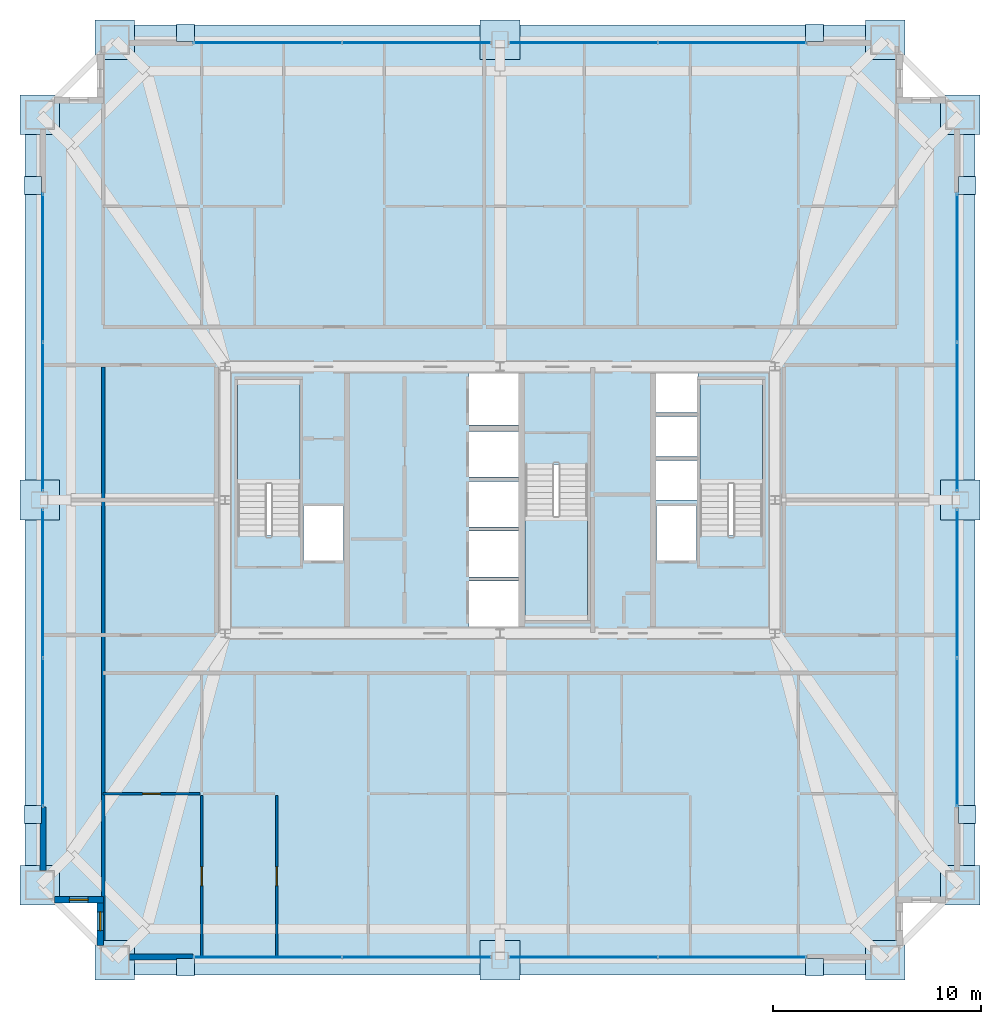
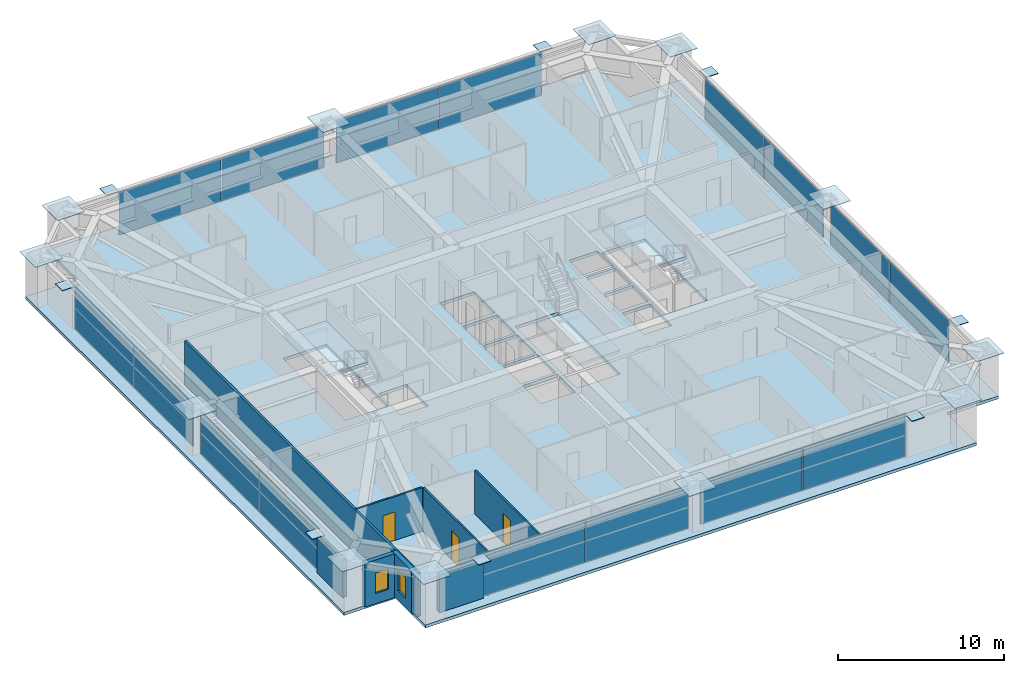
# One storey, part 33 of 39: 36 plates, 8 walls, 4 slabs, 3 doors, 2 windows, 5 openings, 11 elements without a shape of their own.
"""IFC4 building model written with IfcOpenShell, lengths in metres."""

from ifc_helpers import new_model, si_unit, direction, frame, frame_2d, origin, origin_2d, place, context, subcontext, project, spatial, polyline, rectangle, outline, extrude, source, transform, mapped, material, layer, layer_set, type_object, element, fill, aggregate, save


model = new_model("IFC4")

# Units and contexts
model_context = context("Model", 3, precision=1e-05, world=origin(), true_north=direction((0.0, 1.0)))
body_context = subcontext(model_context, "Body", "Model", "MODEL_VIEW")
ifc_project = project(units=[si_unit("LENGTHUNIT", "METRE"), si_unit("AREAUNIT", "SQUARE_METRE"), si_unit("VOLUMEUNIT", "CUBIC_METRE"), si_unit("PLANEANGLEUNIT", "RADIAN"), si_unit("MASSUNIT", "GRAM", prefix="KILO"), si_unit("THERMODYNAMICTEMPERATUREUNIT", "KELVIN"), si_unit("POWERUNIT", "WATT")], contexts=[model_context])

# Site, building, storey
site_placement = place(None, origin())
site = spatial("IfcSite", under=ifc_project, at=site_placement, CompositionType="ELEMENT")
building_placement = place(site_placement, origin())
building = spatial("IfcBuilding", under=site, at=building_placement, Name="Yuzanri Waterfront Tower", CompositionType="ELEMENT")
storey_placement = place(building_placement, frame((0.0, 0.0, 216.0)))
storey = spatial("IfcBuildingStorey", under=building, at=storey_placement, Name="L57", CompositionType="ELEMENT", Elevation=216.0)

# Stair, slab
ifc_material_1 = material(Name="Concrete C40", Category="concrete")
stair_type = type_object("IfcStairType", Name="Concrete C40 Core Dogleg Exit Stair", PredefinedType="HALF_TURN_STAIR", material=ifc_material_1)
stair_1_placement = place(storey_placement, origin())
stair_1 = element("IfcStair", 1, at=stair_1_placement, inside=storey, type_object=stair_type, Name="L57 Smoke-Proof Core Stair ST-01", PredefinedType="HALF_TURN_STAIR")
ifc_material_2 = material(Name="Concrete C40", Category="concrete")
ifc_layer_1 = layer(ifc_material_2, 0.179931640625)
ifc_layer_set_1 = layer_set([ifc_layer_1], Name="Concrete C40")
slab_type_1 = type_object("IfcSlabType", Name="Concrete C40 Stair Half-Landing Slab 180", PredefinedType="LANDING", material=ifc_layer_set_1)
slab_1_placement = place(storey_placement, frame((0.0, 0.0, 1.550048828125)))
slab_1 = element("IfcSlab", 2, at=slab_1_placement, type_object=slab_type_1, Name="ST-01 landing 1", PredefinedType="LANDING", context=body_context, shape_type="SweptSolid", body=[
    extrude(outline(polyline([(27.39990234375, 26.56005859375), (27.39990234375, 31.580078125), (24.39990234375, 31.580078125), (24.39990234375, 26.56005859375), (27.39990234375, 26.56005859375)])), origin(), (0.0, 0.0, 1.0), 0.199951171875),
])
aggregate(stair_1, [slab_1])

stair_2_placement = place(storey_placement, origin())
stair_2 = element("IfcStair", 3, at=stair_2_placement, inside=storey, type_object=stair_type, Name="L57 Smoke-Proof Core Stair ST-02", PredefinedType="HALF_TURN_STAIR")
slab_2_placement = place(storey_placement, frame((0.0, 0.0, 1.550048828125)))
slab_2 = element("IfcSlab", 4, at=slab_2_placement, type_object=slab_type_1, Name="ST-02 landing 1", PredefinedType="LANDING", context=body_context, shape_type="SweptSolid", body=[
    extrude(outline(polyline([(49.60009765625, 26.56005859375), (49.60009765625, 31.580078125), (46.60009765625, 31.580078125), (46.60009765625, 26.56005859375), (49.60009765625, 26.56005859375)])), origin(), (0.0, 0.0, 1.0), 0.199951171875),
])
aggregate(stair_2, [slab_2])

stair_3_placement = place(storey_placement, origin())
stair_3 = element("IfcStair", 5, at=stair_3_placement, inside=storey, type_object=stair_type, Name="L57 Smoke-Proof Core Stair ST-03", PredefinedType="HALF_TURN_STAIR")
slab_3_placement = place(storey_placement, frame((0.0, 0.0, 1.550048828125)))
slab_3 = element("IfcSlab", 6, at=slab_3_placement, type_object=slab_type_1, Name="ST-03 landing 1", PredefinedType="LANDING", context=body_context, shape_type="SweptSolid", body=[
    extrude(outline(polyline([(38.199951171875, 25.0400390625), (38.199951171875, 20.02001953125), (41.199951171875, 20.02001953125), (41.199951171875, 25.0400390625), (38.199951171875, 25.0400390625)])), origin(), (0.0, 0.0, 1.0), 0.199951171875),
])
aggregate(stair_3, [slab_3])

# Slab
ifc_material_3 = material(Name="Concrete C40", Category="concrete")
ifc_layer_2 = layer(ifc_material_3, 0.219970703125)
ifc_layer_set_2 = layer_set([ifc_layer_2], Name="Concrete C40")
slab_type_2 = type_object("IfcSlabType", Name="Concrete C40 Tower Typical Structural Floor Slab 220", PredefinedType="FLOOR", material=ifc_layer_set_2)
slab_4_placement = place(storey_placement, frame((0.0, 0.0, -0.219970703125)))
element("IfcSlab", 7, at=slab_4_placement, inside=storey, type_object=slab_type_2, Name="L57 Main Structural Floor Slab", PredefinedType="FLOOR", context=body_context, shape_type="SweptSolid", body=[
    extrude(outline(polyline([(17.800048828125, 3.0), (56.199951171875, 3.0), (56.199951171875, 6.60009765625), (59.800048828125, 6.60009765625), (59.800048828125, 45.0), (56.199951171875, 45.0), (56.199951171875, 48.60009765625), (17.800048828125, 48.60009765625), (17.800048828125, 45.0), (14.199951171875, 45.0), (14.199951171875, 6.60009765625), (17.800048828125, 6.60009765625), (17.800048828125, 3.0)]), holes=[polyline([(27.39990234375, 24.10009765625), (27.39990234375, 31.580078125), (24.39990234375, 31.580078125), (24.39990234375, 24.10009765625), (27.39990234375, 24.10009765625)]), polyline([(49.60009765625, 24.10009765625), (49.60009765625, 31.580078125), (46.60009765625, 31.580078125), (46.60009765625, 24.10009765625), (49.60009765625, 24.10009765625)]), polyline([(38.199951171875, 27.5), (38.199951171875, 20.02001953125), (41.199951171875, 20.02001953125), (41.199951171875, 27.5), (38.199951171875, 27.5)]), polyline([(27.56005859375, 22.89990234375), (29.47998046875, 22.89990234375), (29.47998046875, 25.5), (27.56005859375, 25.5), (27.56005859375, 22.89990234375)]), polyline([(44.52001953125, 22.89990234375), (46.43994140625, 22.89990234375), (46.43994140625, 25.5), (44.52001953125, 25.5), (44.52001953125, 22.89990234375)]), polyline([(35.5, 19.699951171875), (37.89990234375, 19.699951171875), (37.89990234375, 21.89990234375), (35.5, 21.89990234375), (35.5, 19.699951171875)]), polyline([(35.5, 22.10009765625), (37.89990234375, 22.10009765625), (37.89990234375, 24.300048828125), (35.5, 24.300048828125), (35.5, 22.10009765625)]), polyline([(35.5, 24.5), (37.89990234375, 24.5), (37.89990234375, 26.699951171875), (35.5, 26.699951171875), (35.5, 24.5)]), polyline([(35.5, 26.89990234375), (37.89990234375, 26.89990234375), (37.89990234375, 29.10009765625), (35.5, 29.10009765625), (35.5, 26.89990234375)]), polyline([(35.5, 29.39990234375), (37.89990234375, 29.39990234375), (37.89990234375, 31.89990234375), (35.5, 31.89990234375), (35.5, 29.39990234375)]), polyline([(44.5, 25.800048828125), (46.5, 25.800048828125), (46.5, 27.699951171875), (44.5, 27.699951171875), (44.5, 25.800048828125)]), polyline([(44.5, 27.89990234375), (46.5, 27.89990234375), (46.5, 29.800048828125), (44.5, 29.800048828125), (44.5, 27.89990234375)]), polyline([(44.5, 30.0), (46.5, 30.0), (46.5, 31.89990234375), (44.5, 31.89990234375), (44.5, 30.0)])]), origin(), (0.0, 0.0, 1.0), 0.219970703125),
])

# Plates
ifc_material_4 = material(Name="Steel Q420GJC", Category="steel")
ifc_layer_3 = layer(ifc_material_4, 0.044921875)
ifc_layer_set_3 = layer_set([ifc_layer_3], Name="Steel Q420GJC")
plate_type_1 = type_object("IfcPlateType", Name="Steel Q420GJC Setback Column-Transfer Diaphragm Cap Plate 45", PredefinedType="SHEET", material=ifc_layer_set_3)
shared_shape_1 = source(origin(), body_context, "Body", "SweptSolid", [
    extrude(rectangle(XDim=1.89990234375, YDim=1.89990234375, at=origin_2d()), origin(), (0.0, 0.0, 1.0), 0.044921875),
])
for number, where, z_axis, x_axis, name in (
    (8, (18.5, 3.699951171875, 3.197509765625), (0.0, 0.0, 1.0), (1.0, 0.0, 0.0), "L57 Column Top Closure Plate S1"),
    (9, (37.0, 3.699951171875, 3.197509765625), (0.0, 0.0, 1.0), (1.0, 0.0, 0.0), "L57 Column Top Closure Plate S2"),
    (10, (55.5, 3.699951171875, 3.197509765625), (0.0, 0.0, 1.0), (1.0, 0.0, 0.0), "L57 Column Top Closure Plate S3"),
    (11, (18.5, 47.89990234375, 3.197509765625), (0.0, 0.0, 1.0), (1.0, 0.0, 0.0), "L57 Column Top Closure Plate N1"),
    (12, (37.0, 47.89990234375, 3.197509765625), (0.0, 0.0, 1.0), (1.0, 0.0, 0.0), "L57 Column Top Closure Plate N2"),
    (13, (55.5, 47.89990234375, 3.197509765625), (0.0, 0.0, 1.0), (1.0, 0.0, 0.0), "L57 Column Top Closure Plate N3"),
    (14, (14.89990234375, 7.300048828125, 3.197509765625), (0.0, 0.0, 1.0), (1.0, 0.0, 0.0), "L57 Column Top Closure Plate W1"),
    (15, (14.89990234375, 25.800048828125, 3.197509765625), (0.0, 0.0, 1.0), (1.0, 0.0, 0.0), "L57 Column Top Closure Plate W2"),
    (16, (14.89990234375, 44.300048828125, 3.197509765625), (0.0, 0.0, 1.0), (1.0, 0.0, 0.0), "L57 Column Top Closure Plate W3"),
    (17, (59.10009765625, 7.300048828125, 3.197509765625), (0.0, 0.0, 1.0), (1.0, 0.0, 0.0), "L57 Column Top Closure Plate E1"),
    (18, (59.10009765625, 25.800048828125, 3.197509765625), (0.0, 0.0, 1.0), (1.0, 0.0, 0.0), "L57 Column Top Closure Plate E2"),
    (19, (59.10009765625, 44.300048828125, 3.197509765625), (0.0, 0.0, 1.0), (1.0, 0.0, 0.0), "L57 Column Top Closure Plate E3"),
):
    element("IfcPlate", number, at=place(storey_placement, frame(where, z_axis=z_axis, x_axis=x_axis)), inside=storey, type_object=plate_type_1, Name=name, PredefinedType="SHEET", context=body_context, shape_type="MappedRepresentation", body=[
        mapped(shared_shape_1, transform((0.0, 0.0, 0.0), scale=1.0)),
    ])
ifc_material_5 = material(Name="Steel Q420GJC", Category="steel")
ifc_layer_4 = layer(ifc_material_5, 0.0400390625)
ifc_layer_set_4 = layer_set([ifc_layer_4], Name="Steel Q420GJC")
plate_type_2 = type_object("IfcPlateType", Name="Steel Q420GJC Mega-Brace Gusset and End-Cap Plate 40", PredefinedType="SHEET", material=ifc_layer_set_4)
shared_shape_2 = source(origin(), body_context, "Body", "SweptSolid", [
    extrude(rectangle(XDim=0.85009765625, YDim=0.85009765625, at=origin_2d()), origin(), (0.0, 0.0, 1.0), 0.0400390625),
])
for number, where, z_axis, x_axis, name in (
    (20, (21.89990234375, 3.360107421875, 3.159912109375), (0.0, 0.0, 1.0), (1.0, 0.0, 0.0), "L57 Mega-Brace Apex Cap Plate S-L"),
    (21, (52.10009765625, 3.360107421875, 3.159912109375), (0.0, 0.0, 1.0), (1.0, 0.0, 0.0), "L57 Mega-Brace Apex Cap Plate S-R"),
    (22, (21.89990234375, 48.239990234375, 3.159912109375), (0.0, 0.0, 1.0), (1.0, 0.0, 0.0), "L57 Mega-Brace Apex Cap Plate N-L"),
    (23, (52.10009765625, 48.239990234375, 3.159912109375), (0.0, 0.0, 1.0), (1.0, 0.0, 0.0), "L57 Mega-Brace Apex Cap Plate N-R"),
    (24, (14.56005859375, 10.699951171875, 3.159912109375), (0.0, 0.0, 1.0), (1.0, 0.0, 0.0), "L57 Mega-Brace Apex Cap Plate W-L"),
    (25, (14.56005859375, 40.89990234375, 3.159912109375), (0.0, 0.0, 1.0), (1.0, 0.0, 0.0), "L57 Mega-Brace Apex Cap Plate W-R"),
    (26, (59.43994140625, 10.699951171875, 3.159912109375), (0.0, 0.0, 1.0), (1.0, 0.0, 0.0), "L57 Mega-Brace Apex Cap Plate E-L"),
    (27, (59.43994140625, 40.89990234375, 3.159912109375), (0.0, 0.0, 1.0), (1.0, 0.0, 0.0), "L57 Mega-Brace Apex Cap Plate E-R"),
):
    element("IfcPlate", number, at=place(storey_placement, frame(where, z_axis=z_axis, x_axis=x_axis)), inside=storey, type_object=plate_type_2, Name=name, PredefinedType="SHEET", context=body_context, shape_type="MappedRepresentation", body=[
        mapped(shared_shape_2, transform((0.0, 0.0, 0.0), scale=1.0)),
    ])

# Curtain wall, plates
ifc_material_6 = material(Name="Anodized Architectural Bronze", Category="metal")
ifc_layer_5 = layer(ifc_material_6, 0.159912109375)
ifc_layer_set_5 = layer_set([ifc_layer_5], Name="Anodized Architectural Bronze")
curtain_wall_type = type_object("IfcCurtainWallType", Name="Anodized Bronze Mid-Rise Residential Acoustic Unitized Curtain Wall 7200", PredefinedType="NOTDEFINED", material=ifc_layer_set_5)
curtain_wall_1_placement = place(storey_placement, origin())
curtain_wall_1 = element("IfcCurtainWall", 28, at=curtain_wall_1_placement, inside=storey, type_object=curtain_wall_type, Name="L57 Curtain Wall CW-L57-SL", PredefinedType="NOTDEFINED")
ifc_material_7 = material(Name="Triple Low-E Laminated Insulated Glass", Category="glass")
ifc_layer_6 = layer(ifc_material_7, 0.0439453125)
ifc_layer_set_6 = layer_set([ifc_layer_6], Name="Triple Low-E Laminated Insulated Glass")
plate_type_3 = type_object("IfcPlateType", Name="Triple Glazed Acoustic Vision Glass Panel 44", PredefinedType="CURTAIN_PANEL", material=ifc_layer_set_6)
shared_shape_3 = source(origin(), body_context, "Body", "SweptSolid", [
    extrude(rectangle(XDim=7.094970703125, YDim=0.0439453125, at=origin_2d()), origin(), (0.0, 0.0, 1.0), 3.1201171875),
])
plate_1_placement = place(storey_placement, frame((25.83740234375, 3.85009765625, 0.050048828125), z_axis=(0.0, 0.0, 1.0), x_axis=(1.0, 0.0, 0.0)))
plate_1 = element("IfcPlate", 29, at=plate_1_placement, type_object=plate_type_3, Name="CW-L57-SL Vision Glass Panel 01", PredefinedType="CURTAIN_PANEL", context=body_context, shape_type="MappedRepresentation", body=[
    mapped(shared_shape_3, transform((0.0, 0.0, 0.0), scale=1.0)),
])
plate_2_placement = place(storey_placement, frame((33.012451171875, 3.85009765625, 0.050048828125), z_axis=(0.0, 0.0, 1.0), x_axis=(1.0, 0.0, 0.0)))
plate_2 = element("IfcPlate", 30, at=plate_2_placement, type_object=plate_type_3, Name="CW-L57-SL Vision Glass Panel 02", PredefinedType="CURTAIN_PANEL", context=body_context, shape_type="MappedRepresentation", body=[
    mapped(shared_shape_3, transform((0.0, 0.0, 0.0), scale=1.0)),
])
aggregate(curtain_wall_1, [plate_1, plate_2])

curtain_wall_2_placement = place(storey_placement, origin())
curtain_wall_2 = element("IfcCurtainWall", 31, at=curtain_wall_2_placement, inside=storey, type_object=curtain_wall_type, Name="L57 Curtain Wall CW-L57-SR", PredefinedType="NOTDEFINED")
plate_3_placement = place(storey_placement, frame((40.987548828125, 3.85009765625, 0.050048828125), z_axis=(0.0, 0.0, 1.0), x_axis=(1.0, 0.0, 0.0)))
plate_3 = element("IfcPlate", 32, at=plate_3_placement, type_object=plate_type_3, Name="CW-L57-SR Vision Glass Panel 01", PredefinedType="CURTAIN_PANEL", context=body_context, shape_type="MappedRepresentation", body=[
    mapped(shared_shape_3, transform((0.0, 0.0, 0.0), scale=1.0)),
])
plate_4_placement = place(storey_placement, frame((48.16259765625, 3.85009765625, 0.050048828125), z_axis=(0.0, 0.0, 1.0), x_axis=(1.0, 0.0, 0.0)))
plate_4 = element("IfcPlate", 33, at=plate_4_placement, type_object=plate_type_3, Name="CW-L57-SR Vision Glass Panel 02", PredefinedType="CURTAIN_PANEL", context=body_context, shape_type="MappedRepresentation", body=[
    mapped(shared_shape_3, transform((0.0, 0.0, 0.0), scale=1.0)),
])
aggregate(curtain_wall_2, [plate_3, plate_4])

curtain_wall_3_placement = place(storey_placement, origin())
curtain_wall_3 = element("IfcCurtainWall", 34, at=curtain_wall_3_placement, inside=storey, type_object=curtain_wall_type, Name="L57 Curtain Wall CW-L57-NL", PredefinedType="NOTDEFINED")
plate_5_placement = place(storey_placement, frame((25.83740234375, 47.75, 0.050048828125), z_axis=(0.0, 0.0, 1.0), x_axis=(1.0, 0.0, 0.0)))
plate_5 = element("IfcPlate", 35, at=plate_5_placement, type_object=plate_type_3, Name="CW-L57-NL Vision Glass Panel 01", PredefinedType="CURTAIN_PANEL", context=body_context, shape_type="MappedRepresentation", body=[
    mapped(shared_shape_3, transform((0.0, 0.0, 0.0), scale=1.0)),
])
plate_6_placement = place(storey_placement, frame((33.012451171875, 47.75, 0.050048828125), z_axis=(0.0, 0.0, 1.0), x_axis=(1.0, 0.0, 0.0)))
plate_6 = element("IfcPlate", 36, at=plate_6_placement, type_object=plate_type_3, Name="CW-L57-NL Vision Glass Panel 02", PredefinedType="CURTAIN_PANEL", context=body_context, shape_type="MappedRepresentation", body=[
    mapped(shared_shape_3, transform((0.0, 0.0, 0.0), scale=1.0)),
])
aggregate(curtain_wall_3, [plate_5, plate_6])

curtain_wall_4_placement = place(storey_placement, origin())
curtain_wall_4 = element("IfcCurtainWall", 37, at=curtain_wall_4_placement, inside=storey, type_object=curtain_wall_type, Name="L57 Curtain Wall CW-L57-NR", PredefinedType="NOTDEFINED")
plate_7_placement = place(storey_placement, frame((40.987548828125, 47.75, 0.050048828125), z_axis=(0.0, 0.0, 1.0), x_axis=(1.0, 0.0, 0.0)))
plate_7 = element("IfcPlate", 38, at=plate_7_placement, type_object=plate_type_3, Name="CW-L57-NR Vision Glass Panel 01", PredefinedType="CURTAIN_PANEL", context=body_context, shape_type="MappedRepresentation", body=[
    mapped(shared_shape_3, transform((0.0, 0.0, 0.0), scale=1.0)),
])
plate_8_placement = place(storey_placement, frame((48.16259765625, 47.75, 0.050048828125), z_axis=(0.0, 0.0, 1.0), x_axis=(1.0, 0.0, 0.0)))
plate_8 = element("IfcPlate", 39, at=plate_8_placement, type_object=plate_type_3, Name="CW-L57-NR Vision Glass Panel 02", PredefinedType="CURTAIN_PANEL", context=body_context, shape_type="MappedRepresentation", body=[
    mapped(shared_shape_3, transform((0.0, 0.0, 0.0), scale=1.0)),
])
aggregate(curtain_wall_4, [plate_7, plate_8])

curtain_wall_5_placement = place(storey_placement, origin())
curtain_wall_5 = element("IfcCurtainWall", 40, at=curtain_wall_5_placement, inside=storey, type_object=curtain_wall_type, Name="L57 Curtain Wall CW-L57-WL", PredefinedType="NOTDEFINED")
plate_9_placement = place(storey_placement, frame((15.050048828125, 14.637451171875, 0.050048828125), z_axis=(0.0, 0.0, 1.0), x_axis=(0.0, 1.0, 0.0)))
plate_9 = element("IfcPlate", 41, at=plate_9_placement, type_object=plate_type_3, Name="CW-L57-WL Vision Glass Panel 01", PredefinedType="CURTAIN_PANEL", context=body_context, shape_type="MappedRepresentation", body=[
    mapped(shared_shape_3, transform((0.0, 0.0, 0.0), scale=1.0)),
])
plate_10_placement = place(storey_placement, frame((15.050048828125, 21.8125, 0.050048828125), z_axis=(0.0, 0.0, 1.0), x_axis=(0.0, 1.0, 0.0)))
plate_10 = element("IfcPlate", 42, at=plate_10_placement, type_object=plate_type_3, Name="CW-L57-WL Vision Glass Panel 02", PredefinedType="CURTAIN_PANEL", context=body_context, shape_type="MappedRepresentation", body=[
    mapped(shared_shape_3, transform((0.0, 0.0, 0.0), scale=1.0)),
])
aggregate(curtain_wall_5, [plate_9, plate_10])

curtain_wall_6_placement = place(storey_placement, origin())
curtain_wall_6 = element("IfcCurtainWall", 43, at=curtain_wall_6_placement, inside=storey, type_object=curtain_wall_type, Name="L57 Curtain Wall CW-L57-WR", PredefinedType="NOTDEFINED")
plate_11_placement = place(storey_placement, frame((15.050048828125, 29.78759765625, 0.050048828125), z_axis=(0.0, 0.0, 1.0), x_axis=(0.0, 1.0, 0.0)))
plate_11 = element("IfcPlate", 44, at=plate_11_placement, type_object=plate_type_3, Name="CW-L57-WR Vision Glass Panel 01", PredefinedType="CURTAIN_PANEL", context=body_context, shape_type="MappedRepresentation", body=[
    mapped(shared_shape_3, transform((0.0, 0.0, 0.0), scale=1.0)),
])
plate_12_placement = place(storey_placement, frame((15.050048828125, 36.96240234375, 0.050048828125), z_axis=(0.0, 0.0, 1.0), x_axis=(0.0, 1.0, 0.0)))
plate_12 = element("IfcPlate", 45, at=plate_12_placement, type_object=plate_type_3, Name="CW-L57-WR Vision Glass Panel 02", PredefinedType="CURTAIN_PANEL", context=body_context, shape_type="MappedRepresentation", body=[
    mapped(shared_shape_3, transform((0.0, 0.0, 0.0), scale=1.0)),
])
aggregate(curtain_wall_6, [plate_11, plate_12])

curtain_wall_7_placement = place(storey_placement, origin())
curtain_wall_7 = element("IfcCurtainWall", 46, at=curtain_wall_7_placement, inside=storey, type_object=curtain_wall_type, Name="L57 Curtain Wall CW-L57-EL", PredefinedType="NOTDEFINED")
plate_13_placement = place(storey_placement, frame((58.949951171875, 14.637451171875, 0.050048828125), z_axis=(0.0, 0.0, 1.0), x_axis=(0.0, 1.0, 0.0)))
plate_13 = element("IfcPlate", 47, at=plate_13_placement, type_object=plate_type_3, Name="CW-L57-EL Vision Glass Panel 01", PredefinedType="CURTAIN_PANEL", context=body_context, shape_type="MappedRepresentation", body=[
    mapped(shared_shape_3, transform((0.0, 0.0, 0.0), scale=1.0)),
])
plate_14_placement = place(storey_placement, frame((58.949951171875, 21.8125, 0.050048828125), z_axis=(0.0, 0.0, 1.0), x_axis=(0.0, 1.0, 0.0)))
plate_14 = element("IfcPlate", 48, at=plate_14_placement, type_object=plate_type_3, Name="CW-L57-EL Vision Glass Panel 02", PredefinedType="CURTAIN_PANEL", context=body_context, shape_type="MappedRepresentation", body=[
    mapped(shared_shape_3, transform((0.0, 0.0, 0.0), scale=1.0)),
])
aggregate(curtain_wall_7, [plate_13, plate_14])

curtain_wall_8_placement = place(storey_placement, origin())
curtain_wall_8 = element("IfcCurtainWall", 49, at=curtain_wall_8_placement, inside=storey, type_object=curtain_wall_type, Name="L57 Curtain Wall CW-L57-ER", PredefinedType="NOTDEFINED")
plate_15_placement = place(storey_placement, frame((58.949951171875, 29.78759765625, 0.050048828125), z_axis=(0.0, 0.0, 1.0), x_axis=(0.0, 1.0, 0.0)))
plate_15 = element("IfcPlate", 50, at=plate_15_placement, type_object=plate_type_3, Name="CW-L57-ER Vision Glass Panel 01", PredefinedType="CURTAIN_PANEL", context=body_context, shape_type="MappedRepresentation", body=[
    mapped(shared_shape_3, transform((0.0, 0.0, 0.0), scale=1.0)),
])
plate_16_placement = place(storey_placement, frame((58.949951171875, 36.96240234375, 0.050048828125), z_axis=(0.0, 0.0, 1.0), x_axis=(0.0, 1.0, 0.0)))
plate_16 = element("IfcPlate", 51, at=plate_16_placement, type_object=plate_type_3, Name="CW-L57-ER Vision Glass Panel 02", PredefinedType="CURTAIN_PANEL", context=body_context, shape_type="MappedRepresentation", body=[
    mapped(shared_shape_3, transform((0.0, 0.0, 0.0), scale=1.0)),
])
aggregate(curtain_wall_8, [plate_15, plate_16])

# Wall, opening, door
ifc_material_8 = material(Name="Moisture-Resistant Gypsum Stud Wall", Category="gypsum")
ifc_layer_7 = layer(ifc_material_8, 0.1201171875)
ifc_layer_set_7 = layer_set([ifc_layer_7], Name="Moisture-Resistant Gypsum Stud Wall")
wall_type_1 = type_object("IfcWallType", Name="Bathroom and Kitchen Wet Partition 120", PredefinedType="PARTITIONING", material=ifc_layer_set_7)
wall_1_placement = place(storey_placement, frame((17.93994140625, 11.699951171875, 0.0), z_axis=(0.0, 0.0, 1.0), x_axis=(1.0, 0.0, 0.0)))
wall_1 = element("IfcWall", 52, at=wall_1_placement, inside=storey, type_object=wall_type_1, Name="L57 Partition UW-L57-RS1-SUB-1-S", PredefinedType="PARTITIONING", context=body_context, shape_type="SweptSolid", body=[
    extrude(rectangle(XDim=4.64697265625, YDim=0.1201171875, at=frame_2d((2.323486328125, 0.0))), origin(), (0.0, 0.0, 1.0), 3.219970703125),
])
opening_1_placement = place(wall_1_placement, frame((1.8984375, 0.0, 0.0)))
opening_1 = element("IfcOpeningElement", 53, at=opening_1_placement, cuts=wall_1, Name="Opening ID-0850", PredefinedType="OPENING", context=body_context, shape_type="SweptSolid", body=[
    extrude(rectangle(XDim=0.85009765625, YDim=2.10009765625, at=frame_2d((0.425048828125, 1.050048828125))), frame((0.0, 0.074951171875, 0.0), z_axis=(0.0, -1.0, 0.0), x_axis=(1.0, 0.0, 0.0)), (0.0, 0.0, 1.0), 0.14990234375),
])
ifc_material_9 = material(Name="Moisture-Resistant Lacquered Timber", Category="wood")
door_type_1 = type_object("IfcDoorType", Name="En-Suite Bathroom and Kitchen Swing Door 850x2100", OperationType="NOTDEFINED", PredefinedType="DOOR", material=ifc_material_9)
shared_shape_4 = source(origin(), body_context, "Body", "SweptSolid", [
    extrude(rectangle(XDim=0.85009765625, YDim=2.10009765625, at=frame_2d((0.425048828125, 1.050048828125))), frame((0.0, 0.02490234375, 0.0), z_axis=(0.0, -1.0, 0.0), x_axis=(1.0, 0.0, 0.0)), (0.0, 0.0, 1.0), 0.050048828125),
])
door_1_placement = place(opening_1_placement, origin())
door_1 = element("IfcDoor", 54, at=door_1_placement, inside=storey, type_object=door_type_1, Name="L57 Suite Interior Room Door", OperationType="SINGLE_SWING_RIGHT", OverallHeight=2.10009765625, OverallWidth=0.85009765625, PredefinedType="DOOR", context=body_context, shape_type="MappedRepresentation", body=[
    mapped(shared_shape_4, transform((0.0, 0.0, 0.0), scale=1.0)),
])
fill(opening_1, door_1)

wall_2_placement = place(storey_placement, frame((22.6669921875, 3.85009765625, 0.0), z_axis=(0.0, 0.0, 1.0), x_axis=(0.0, 1.0, 0.0)))
wall_2 = element("IfcWall", 55, at=wall_2_placement, inside=storey, type_object=wall_type_1, Name="L57 Partition UW-L57-RS1-SUB-4-E", PredefinedType="PARTITIONING", context=body_context, shape_type="SweptSolid", body=[
    extrude(rectangle(XDim=7.77001953125, YDim=0.1201171875, at=frame_2d((3.885009765625, 0.0))), origin(), (0.0, 0.0, 1.0), 3.219970703125),
])
opening_2_placement = place(wall_2_placement, frame((3.43505859375, 0.0, 0.0)))
opening_2 = element("IfcOpeningElement", 56, at=opening_2_placement, cuts=wall_2, Name="Opening ID-0900", PredefinedType="OPENING", context=body_context, shape_type="SweptSolid", body=[
    extrude(rectangle(XDim=0.89990234375, YDim=2.14990234375, at=frame_2d((0.449951171875, 1.074951171875))), frame((0.0, 0.074951171875, 0.0), z_axis=(0.0, -1.0, 0.0), x_axis=(1.0, 0.0, 0.0)), (0.0, 0.0, 1.0), 0.14990234375),
])
ifc_material_10 = material(Name="Stained Walnut Veneer Timber", Category="wood")
door_type_2 = type_object("IfcDoorType", Name="Bedroom and Study Interior Swing Door 900x2150", OperationType="NOTDEFINED", PredefinedType="DOOR", material=ifc_material_10)
shared_shape_5 = source(origin(), body_context, "Body", "SweptSolid", [
    extrude(rectangle(XDim=0.89990234375, YDim=2.14990234375, at=frame_2d((0.449951171875, 1.074951171875))), frame((0.0, 0.02490234375, 0.0), z_axis=(0.0, -1.0, 0.0), x_axis=(1.0, 0.0, 0.0)), (0.0, 0.0, 1.0), 0.050048828125),
])
door_2_placement = place(opening_2_placement, origin())
door_2 = element("IfcDoor", 57, at=door_2_placement, inside=storey, type_object=door_type_2, Name="L57 Suite Interior Room Door", OperationType="SINGLE_SWING_LEFT", OverallHeight=2.14990234375, OverallWidth=0.89990234375, PredefinedType="DOOR", context=body_context, shape_type="MappedRepresentation", body=[
    mapped(shared_shape_5, transform((0.0, 0.0, 0.0), scale=1.0)),
])
fill(opening_2, door_2)

wall_3_placement = place(storey_placement, frame((26.277099609375, 3.85009765625, 0.0), z_axis=(0.0, 0.0, 1.0), x_axis=(0.0, 1.0, 0.0)))
wall_3 = element("IfcWall", 58, at=wall_3_placement, inside=storey, type_object=wall_type_1, Name="L57 Partition UW-L57-RS1-SUB-6-E", PredefinedType="PARTITIONING", context=body_context, shape_type="SweptSolid", body=[
    extrude(rectangle(XDim=7.77001953125, YDim=0.1201171875, at=frame_2d((3.885009765625, 0.0))), origin(), (0.0, 0.0, 1.0), 3.219970703125),
])
opening_3_placement = place(wall_3_placement, frame((3.43505859375, 0.0, 0.0)))
opening_3 = element("IfcOpeningElement", 59, at=opening_3_placement, cuts=wall_3, Name="Opening ID-0900", PredefinedType="OPENING", context=body_context, shape_type="SweptSolid", body=[
    extrude(rectangle(XDim=0.89990234375, YDim=2.14990234375, at=frame_2d((0.449951171875, 1.074951171875))), frame((0.0, 0.074951171875, 0.0), z_axis=(0.0, -1.0, 0.0), x_axis=(1.0, 0.0, 0.0)), (0.0, 0.0, 1.0), 0.14990234375),
])
door_3_placement = place(opening_3_placement, origin())
door_3 = element("IfcDoor", 60, at=door_3_placement, inside=storey, type_object=door_type_2, Name="L57 Suite Interior Room Door", OperationType="SINGLE_SWING_LEFT", OverallHeight=2.14990234375, OverallWidth=0.89990234375, PredefinedType="DOOR", context=body_context, shape_type="MappedRepresentation", body=[
    mapped(shared_shape_5, transform((0.0, 0.0, 0.0), scale=1.0)),
])
fill(opening_3, door_3)

# Wall, opening, window
ifc_material_11 = material(Name="Honed Chongqing Dark Basalt Stone", Category="masonry")
ifc_layer_8 = layer(ifc_material_11, 0.300048828125)
ifc_layer_set_8 = layer_set([ifc_layer_8], Name="Honed Chongqing Dark Basalt Stone")
wall_type_2 = type_object("IfcWallType", Name="Bronze Rainscreen Insulated Spandrel Portal Wall 300", PredefinedType="SOLIDWALL", material=ifc_layer_set_8)
wall_4_placement = place(storey_placement, frame((15.60009765625, 6.60009765625, 0.0), z_axis=(0.0, 0.0, 1.0), x_axis=(1.0, 0.0, 0.0)))
wall_4 = element("IfcWall", 61, at=wall_4_placement, inside=storey, type_object=wall_type_2, Name="L57 Notched Corner Masonry Wall SW-X", PredefinedType="SOLIDWALL", context=body_context, shape_type="SweptSolid", body=[
    extrude(rectangle(XDim=2.349853515625, YDim=0.300048828125, at=frame_2d((1.1748046875, 0.0))), origin(), (0.0, 0.0, 1.0), 3.219970703125),
])
opening_4_placement = place(wall_4_placement, frame((0.72509765625, 0.0, 0.75)))
opening_4 = element("IfcOpeningElement", 62, at=opening_4_placement, cuts=wall_4, Name="Opening WN-05", PredefinedType="OPENING", context=body_context, shape_type="SweptSolid", body=[
    extrude(rectangle(XDim=0.89990234375, YDim=1.5, at=frame_2d((0.449951171875, 0.75))), frame((0.0, 0.1650390625, 0.0), z_axis=(0.0, -1.0, 0.0), x_axis=(1.0, 0.0, 0.0)), (0.0, 0.0, 1.0), 0.329833984375),
])
ifc_material_12 = material(Name="Double-Silver Low-E Insulated Glass", Category="glass")
window_type = type_object("IfcWindowType", Name="Anodized Bronze Service and Stairwell Smoke-Vent Window 900x1500", PartitioningType="SINGLE_PANEL", PredefinedType="WINDOW", material=ifc_material_12)
shared_shape_6 = source(origin(), body_context, "Body", "SweptSolid", [
    extrude(rectangle(XDim=0.89990234375, YDim=1.5, at=frame_2d((0.449951171875, 0.75))), frame((0.0, 0.030029296875, 0.0), z_axis=(0.0, -1.0, 0.0), x_axis=(1.0, 0.0, 0.0)), (0.0, 0.0, 1.0), 0.06005859375),
])
window_1_placement = place(opening_4_placement, origin())
window_1 = element("IfcWindow", 63, at=window_1_placement, inside=storey, type_object=window_type, Name="L57 Notched Corner Window SW-X", OverallHeight=1.5, OverallWidth=0.89990234375, PartitioningType="SINGLE_PANEL", PredefinedType="WINDOW", context=body_context, shape_type="MappedRepresentation", body=[
    mapped(shared_shape_6, transform((0.0, 0.0, 0.0), scale=1.0)),
])
fill(opening_4, window_1)

wall_5_placement = place(storey_placement, frame((17.800048828125, 6.75, 0.0), z_axis=(0.0, 0.0, 1.0), x_axis=(0.0, -1.0, 0.0)))
wall_5 = element("IfcWall", 64, at=wall_5_placement, inside=storey, type_object=wall_type_2, Name="L57 Notched Corner Masonry Wall SW-Y", PredefinedType="SOLIDWALL", context=body_context, shape_type="SweptSolid", body=[
    extrude(rectangle(XDim=2.35009765625, YDim=0.300048828125, at=frame_2d((1.175048828125, 0.0))), origin(), (0.0, 0.0, 1.0), 3.219970703125),
])
opening_5_placement = place(wall_5_placement, frame((0.72509765625, 0.0, 0.75)))
opening_5 = element("IfcOpeningElement", 65, at=opening_5_placement, cuts=wall_5, Name="Opening WN-05", PredefinedType="OPENING", context=body_context, shape_type="SweptSolid", body=[
    extrude(rectangle(XDim=0.89990234375, YDim=1.5, at=frame_2d((0.449951171875, 0.75))), frame((0.0, 0.1650390625, 0.0), z_axis=(0.0, -1.0, 0.0), x_axis=(1.0, 0.0, 0.0)), (0.0, 0.0, 1.0), 0.329833984375),
])
window_2_placement = place(opening_5_placement, origin())
window_2 = element("IfcWindow", 66, at=window_2_placement, inside=storey, type_object=window_type, Name="L57 Notched Corner Window SW-Y", OverallHeight=1.5, OverallWidth=0.89990234375, PartitioningType="SINGLE_PANEL", PredefinedType="WINDOW", context=body_context, shape_type="MappedRepresentation", body=[
    mapped(shared_shape_6, transform((0.0, 0.0, 0.0), scale=1.0)),
])
fill(opening_5, window_2)

# Walls
shared_shape_7 = source(origin(), body_context, "Body", "SweptSolid", [
    extrude(rectangle(XDim=3.050048828125, YDim=0.300048828125, at=frame_2d((1.52490234375, 0.0))), origin(), (0.0, 0.0, 1.0), 2.77490234375),
])
for number, where, z_axis, x_axis, name in (
    (67, (19.199951171875, 3.85009765625, 0.0), (0.0, 0.0, 1.0), (1.0, 0.0, 0.0), "L57 S Left Braced Masonry Shoulder"),
    (68, (15.050048828125, 8.0, 0.0), (0.0, 0.0, 1.0), (0.0, 1.0, 0.0), "L57 W Left Braced Masonry Shoulder"),
):
    element("IfcWall", number, at=place(storey_placement, frame(where, z_axis=z_axis, x_axis=x_axis)), inside=storey, type_object=wall_type_2, Name=name, PredefinedType="SOLIDWALL", context=body_context, shape_type="MappedRepresentation", body=[
        mapped(shared_shape_7, transform((0.0, 0.0, 0.0), scale=1.0)),
    ])
ifc_material_13 = material(Name="Gypsum Fireboard Acoustic Stud Wall", Category="gypsum")
ifc_layer_9 = layer(ifc_material_13, 0.159912109375)
ifc_layer_set_9 = layer_set([ifc_layer_9], Name="Gypsum Fireboard Acoustic Stud Wall")
wall_type_3 = type_object("IfcWallType", Name="Acoustic Suite Demising Partition 160", PredefinedType="PARTITIONING", material=ifc_layer_set_9)
shared_shape_8 = source(origin(), body_context, "Body", "SweptSolid", [
    extrude(rectangle(XDim=28.18994140625, YDim=0.159912109375, at=frame_2d((14.094970703125, 0.0))), origin(), (0.0, 0.0, 1.0), 3.219970703125),
])
wall_6_placement = place(storey_placement, frame((17.949951171875, 4.0, 0.0), z_axis=(0.0, 0.0, 1.0), x_axis=(0.0, 1.0, 0.0)))
element("IfcWall", 69, at=wall_6_placement, inside=storey, type_object=wall_type_3, Name="L57 South Band West End Wall", PredefinedType="PARTITIONING", context=body_context, shape_type="MappedRepresentation", body=[
    mapped(shared_shape_8, transform((0.0, 0.0, 0.0), scale=1.0)),
])

save(model, "model.ifc")
